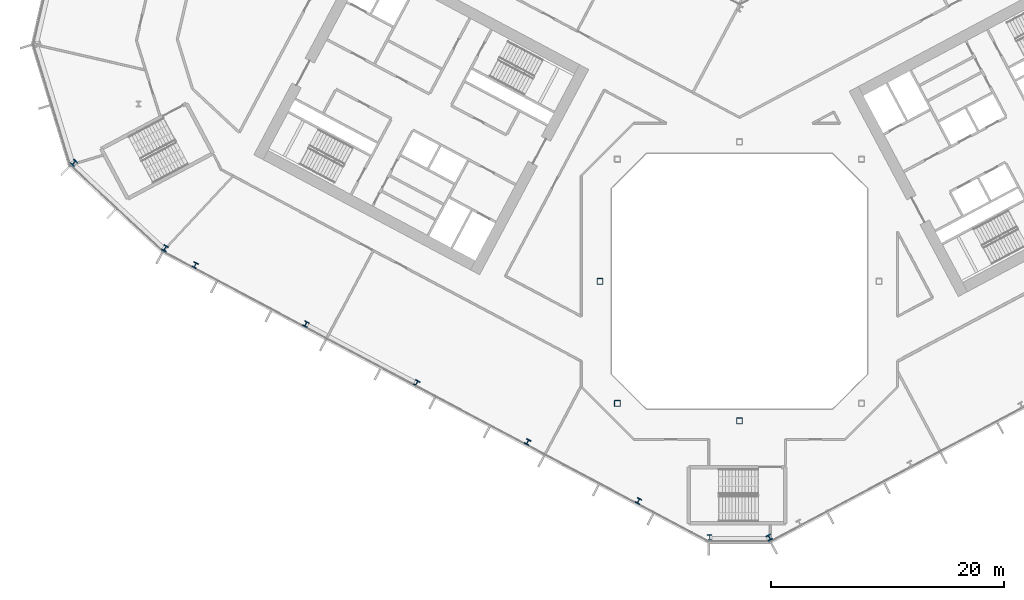
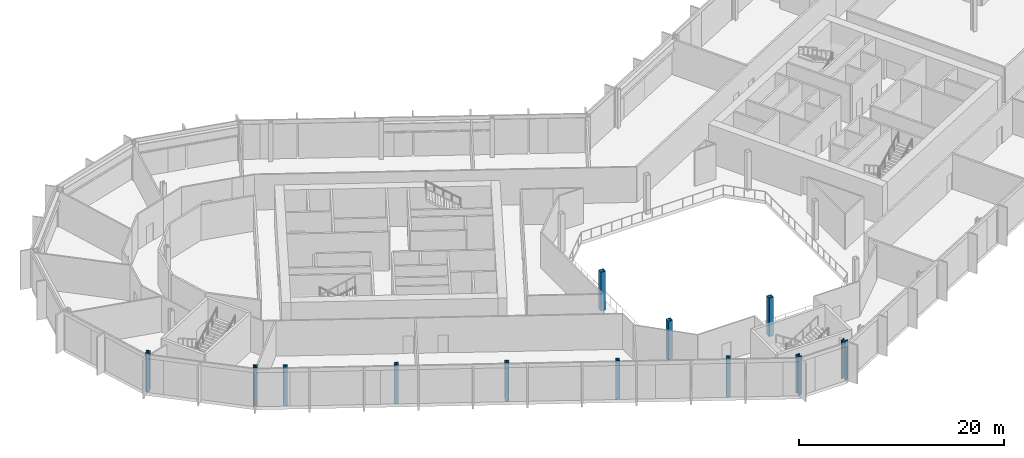
# One storey, part 1 of 30: 12 columns.
"""IFC4 building model written with IfcOpenShell, lengths in metres."""

from ifc_helpers import new_model, si_unit, direction, frame, origin, origin_2d, place, context, subcontext, project, spatial, hollow_rectangle, i_section, extrude, material, material_profile, profile_set, type_object, element, save


model = new_model("IFC4")

# Units and contexts
model_context = context("Model", 3, precision=1e-05, world=origin(), true_north=direction((0.0, 1.0)))
body_context = subcontext(model_context, "Body", "Model", "MODEL_VIEW")
ifc_project = project(units=[si_unit("LENGTHUNIT", "METRE"), si_unit("AREAUNIT", "SQUARE_METRE"), si_unit("VOLUMEUNIT", "CUBIC_METRE"), si_unit("PLANEANGLEUNIT", "RADIAN"), si_unit("MASSUNIT", "GRAM", prefix="KILO")], contexts=[model_context])

# Site, building, storey
site_placement = place(None, origin())
site = spatial("IfcSite", under=ifc_project, at=site_placement, CompositionType="ELEMENT")
building_placement = place(site_placement, origin())
building = spatial("IfcBuilding", under=site, at=building_placement, Name="Cormorant Relay Tower", CompositionType="ELEMENT")
storey_placement = place(building_placement, frame((0.0, 0.0, 80.0)))
storey = spatial("IfcBuildingStorey", under=building, at=storey_placement, Name="L15", CompositionType="ELEMENT", Elevation=80.0)

# Columns
ifc_material_1 = material(Name="Steel ASTM A500 Grade C (Fy 345 MPa)", Category="steel")
ifc_material_profile_1 = material_profile(ifc_material_1, hollow_rectangle(XDim=0.508056640625, YDim=0.508056640625, WallThickness=0.020751953125, InnerFilletRadius=0.01025390625, OuterFilletRadius=0.031005859375, at=origin_2d()), Name="HSS508x508x21")
ifc_profile_set_1 = profile_set([ifc_material_profile_1], Name="Steel ASTM A500 Grade C (Fy 345 MPa)")
column_type_1 = type_object("IfcColumnType", Name="Column HSS508x508x21", PredefinedType="COLUMN", material=ifc_profile_set_1)
for number, where, z_axis, x_axis, name in (
    (1, (0.0, -12.0, 0.0), (0.0, 0.0, 1.0), (1.0, 0.0, 0.0), "Column L15-007"),
    (2, (-10.5, -10.5, 0.0), (0.0, 0.0, 1.0), (1.0, 0.0, 0.0), "Column L15-009"),
    (3, (-12.0, 0.0, 0.0), (0.0, 0.0, 1.0), (1.0, 0.0, 0.0), "Column L15-015"),
):
    element("IfcColumn", number, at=place(storey_placement, frame(where, z_axis=z_axis, x_axis=x_axis)), inside=storey, type_object=column_type_1, Name=name, PredefinedType="COLUMN", context=body_context, shape_type="SweptSolid", body=[
        extrude(hollow_rectangle(XDim=0.508056640625, YDim=0.508056640625, WallThickness=0.020751953125, InnerFilletRadius=0.01025390625, OuterFilletRadius=0.031005859375, at=origin_2d()), origin(), (0.0, 0.0, 1.0), 4.60009765625),
    ])
ifc_material_2 = material(Name="Steel ASTM A992 (Fy 345 MPa)", Category="steel")
ifc_material_profile_2 = material_profile(ifc_material_2, i_section(OverallWidth=0.42431640625, OverallDepth=0.47509765625, WebThickness=0.0478515625, FlangeThickness=0.0771484375, FilletRadius=0.014892578125, at=origin_2d()), Name="W360x634")
ifc_profile_set_2 = profile_set([ifc_material_profile_2], Name="Steel ASTM A992 (Fy 345 MPa)")
column_type_2 = type_object("IfcColumnType", Name="Column W360x634", PredefinedType="COLUMN", material=ifc_profile_set_2)
for number, where, z_axis, x_axis, name in (
    (4, (-8.68701171875, -18.89306640625, 0.0), (0.0, 0.0, 1.0), (0.882947592859, -0.469471562786, 0.0), "Column L15-004"),
    (5, (-18.222900390625, -13.822998046875, 0.0), (0.0, 0.0, 1.0), (0.882947592859, -0.469471562786, 0.0), "Column L15-006"),
    (6, (-27.758056640625, -8.7529296875, 0.0), (0.0, 0.0, 1.0), (0.882947592859, -0.469471562786, 0.0), "Column L15-011"),
    (7, (-37.2939453125, -3.681884765625, 0.0), (0.0, 0.0, 1.0), (0.882947592859, -0.469471562786, 0.0), "Column L15-013"),
    (8, (-46.830078125, 1.387939453125, 0.0), (0.0, 0.0, 1.0), (0.882947592859, -0.469471562786, 0.0), "Column L15-017"),
):
    element("IfcColumn", number, at=place(storey_placement, frame(where, z_axis=z_axis, x_axis=x_axis)), inside=storey, type_object=column_type_2, Name=name, PredefinedType="COLUMN", context=body_context, shape_type="SweptSolid", body=[
        extrude(i_section(OverallWidth=0.42431640625, OverallDepth=0.47509765625, WebThickness=0.0478515625, FlangeThickness=0.0771484375, FilletRadius=0.014892578125, at=origin_2d()), origin(), (0.0, 0.0, 1.0), 4.60009765625),
    ])
ifc_material_3 = material(Name="Steel ASTM A992 (Fy 345 MPa)", Category="steel")
ifc_material_profile_3 = material_profile(ifc_material_3, i_section(OverallWidth=0.43701171875, OverallDepth=0.51318359375, WebThickness=0.060546875, FlangeThickness=0.096923828125, FilletRadius=0.015380859375, at=origin_2d()), Name="W360x818")
ifc_profile_set_3 = profile_set([ifc_material_profile_3], Name="Steel ASTM A992 (Fy 345 MPa)")
column_type_3 = type_object("IfcColumnType", Name="Column W360x818", PredefinedType="COLUMN", material=ifc_profile_set_3)
for number, where, z_axis, x_axis, name in (
    (9, (-2.56689453125, -22.0458984375, 0.0), (0.0, 0.0, 1.0), (1.0, 0.0, 0.0), "Column L15-001"),
    (10, (2.56689453125, -22.0458984375, 0.0), (0.0, 0.0, 1.0), (0.882947592859, 0.469471562786, 0.0), "Column L15-002"),
    (11, (-49.412109375, 2.8369140625, 0.0), (0.0, 0.0, 1.0), (0.882947592859, -0.469471562786, 0.0), "Column L15-018"),
    (12, (-57.2451171875, 10.18310546875, 0.0), (0.0, 0.0, 1.0), (0.731353701619, -0.681998360062, 0.0), "Column L15-021"),
):
    element("IfcColumn", number, at=place(storey_placement, frame(where, z_axis=z_axis, x_axis=x_axis)), inside=storey, type_object=column_type_3, Name=name, PredefinedType="COLUMN", context=body_context, shape_type="SweptSolid", body=[
        extrude(i_section(OverallWidth=0.43701171875, OverallDepth=0.51318359375, WebThickness=0.060546875, FlangeThickness=0.096923828125, FilletRadius=0.015380859375, at=origin_2d()), origin(), (0.0, 0.0, 1.0), 4.60009765625),
    ])

save(model, "model.ifc")
